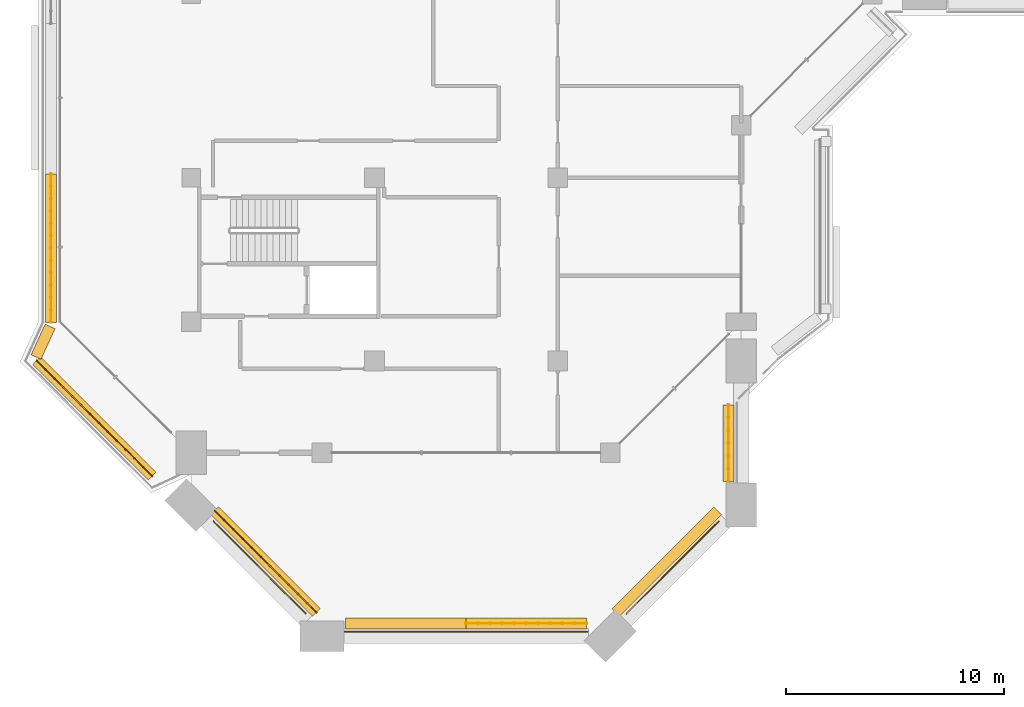
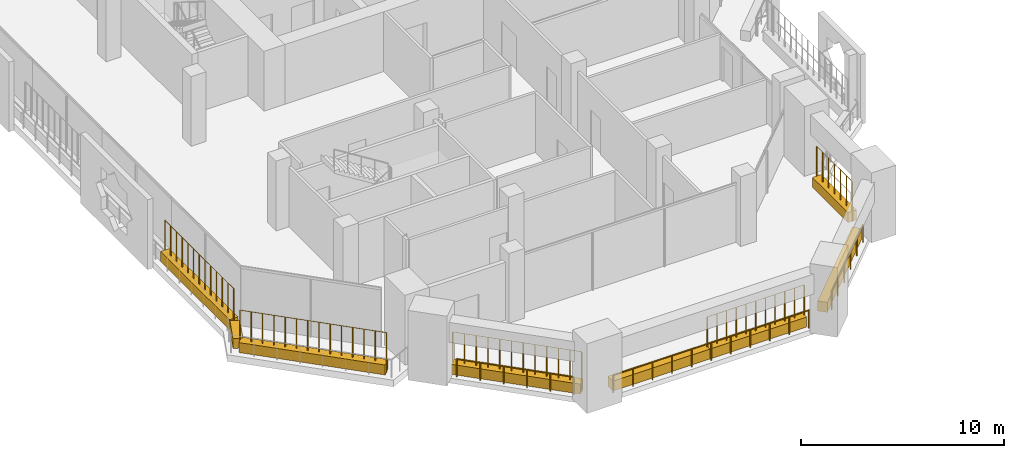
# One storey, part 17 of 24: 8 coverings, 8 railings.
"""IFC4 building model written with IfcOpenShell, lengths in metres."""

from ifc_helpers import new_model, si_unit, direction, frame, origin, origin_2d, place, context, subcontext, project, spatial, rectangle, circle, extrude, material, material_profile, profile_set, type_object, element, save


model = new_model("IFC4")

# Units and contexts
model_context = context("Model", 3, precision=1e-05, world=origin(), true_north=direction((0.0, 1.0)))
body_context = subcontext(model_context, "Body", "Model", "MODEL_VIEW")
ifc_project = project(units=[si_unit("LENGTHUNIT", "METRE"), si_unit("AREAUNIT", "SQUARE_METRE"), si_unit("VOLUMEUNIT", "CUBIC_METRE"), si_unit("PLANEANGLEUNIT", "RADIAN"), si_unit("MASSUNIT", "GRAM", prefix="KILO")], contexts=[model_context])

# Site, building, storey
site_placement = place(None, origin())
site = spatial("IfcSite", under=ifc_project, at=site_placement, CompositionType="ELEMENT")
building_placement = place(site_placement, origin())
building = spatial("IfcBuilding", under=site, at=building_placement, Name="Kawkab Arch Medical Tower", CompositionType="ELEMENT")
storey_placement = place(building_placement, frame((0.0, 0.0, 218.0)))
storey = spatial("IfcBuildingStorey", under=building, at=storey_placement, Name="L50", CompositionType="ELEMENT", Elevation=218.0)

# Railings
ifc_material_1 = material(Name="Bronze anodised aluminium guard", Category="aluminium")
railing_type_1 = type_object("IfcRailingType", Name="Loggia and terrace guard 1100", PredefinedType="GUARDRAIL", material=ifc_material_1)
railing_1_placement = place(storey_placement, frame((1.030029296875, -49.346923828125, 0.0)))
element("IfcRailing", 1, at=railing_1_placement, inside=storey, type_object=railing_type_1, Name="Guard L50.TER-01.1.2", PredefinedType="GUARDRAIL", context=body_context, shape_type="SweptSolid", body=[
    extrude(circle(Radius=0.02392578125, at=origin_2d()), frame((0.0, 0.0, 1.076171875), z_axis=(0.707086341325, -0.707127220457, 0.0), x_axis=(0.707127220457, 0.707086341325, 0.0)), (0.0, 0.0, 1.0), 5.97216796875),
    extrude(circle(Radius=0.02099609375, at=origin_2d()), origin(), (0.0, 0.0, 1.0), 1.052001953125),
    extrude(circle(Radius=0.02099609375, at=origin_2d()), frame((0.844482421875, -0.8447265625, 0.0)), (0.0, 0.0, 1.0), 1.052001953125),
    extrude(circle(Radius=0.02099609375, at=origin_2d()), frame((1.689208984375, -1.689208984375, 0.0)), (0.0, 0.0, 1.0), 1.052001953125),
    extrude(circle(Radius=0.02099609375, at=origin_2d()), frame((2.53369140625, -2.533935546875, 0.0)), (0.0, 0.0, 1.0), 1.052001953125),
    extrude(circle(Radius=0.02099609375, at=origin_2d()), frame((3.37841796875, -3.37841796875, 0.0)), (0.0, 0.0, 1.0), 1.052001953125),
    extrude(circle(Radius=0.02099609375, at=origin_2d()), frame((4.222900390625, -4.22314453125, 0.0)), (0.0, 0.0, 1.0), 1.052001953125),
])
railing_2_placement = place(storey_placement, frame((7.030029296875, -54.39990234375, 0.0)))
element("IfcRailing", 2, at=railing_2_placement, inside=storey, type_object=railing_type_1, Name="Guard L50.TER-01.1.3", PredefinedType="GUARDRAIL", context=body_context, shape_type="SweptSolid", body=[
    extrude(circle(Radius=0.02392578125, at=origin_2d()), frame((0.0, 0.0, 1.076171875), z_axis=(1.0, 0.0, 0.0), x_axis=(0.0, 1.0, 0.0)), (0.0, 0.0, 1.0), 11.139892578125),
    extrude(circle(Radius=0.02099609375, at=origin_2d()), origin(), (0.0, 0.0, 1.0), 1.052001953125),
    extrude(circle(Radius=0.02099609375, at=origin_2d()), frame((1.114013671875, 0.0, 0.0)), (0.0, 0.0, 1.0), 1.052001953125),
    extrude(circle(Radius=0.02099609375, at=origin_2d()), frame((2.22802734375, 0.0, 0.0)), (0.0, 0.0, 1.0), 1.052001953125),
    extrude(circle(Radius=0.02099609375, at=origin_2d()), frame((3.342041015625, 0.0, 0.0)), (0.0, 0.0, 1.0), 1.052001953125),
    extrude(circle(Radius=0.02099609375, at=origin_2d()), frame((4.4560546875, 0.0, 0.0)), (0.0, 0.0, 1.0), 1.052001953125),
    extrude(circle(Radius=0.02099609375, at=origin_2d()), frame((5.56982421875, 0.0, 0.0)), (0.0, 0.0, 1.0), 1.052001953125),
    extrude(circle(Radius=0.02099609375, at=origin_2d()), frame((6.683837890625, 0.0, 0.0)), (0.0, 0.0, 1.0), 1.052001953125),
    extrude(circle(Radius=0.02099609375, at=origin_2d()), frame((7.7978515625, 0.0, 0.0)), (0.0, 0.0, 1.0), 1.052001953125),
    extrude(circle(Radius=0.02099609375, at=origin_2d()), frame((8.911865234375, 0.0, 0.0)), (0.0, 0.0, 1.0), 1.052001953125),
    extrude(circle(Radius=0.02099609375, at=origin_2d()), frame((10.02587890625, 0.0, 0.0)), (0.0, 0.0, 1.0), 1.052001953125),
    extrude(circle(Radius=0.02099609375, at=origin_2d()), frame((11.139892578125, 0.0, 0.0)), (0.0, 0.0, 1.0), 1.052001953125),
])
railing_3_placement = place(storey_placement, frame((19.947021484375, -53.570068359375, 0.0)))
element("IfcRailing", 3, at=railing_3_placement, inside=storey, type_object=railing_type_1, Name="Guard L50.TER-01.1.4", PredefinedType="GUARDRAIL", context=body_context, shape_type="SweptSolid", body=[
    extrude(circle(Radius=0.02392578125, at=origin_2d()), frame((0.0, 0.0, 1.076171875), z_axis=(0.707086341325, 0.707127220457, 0.0), x_axis=(-0.707127220457, 0.707086341325, 0.0)), (0.0, 0.0, 1.0), 5.97216796875),
    extrude(circle(Radius=0.02099609375, at=origin_2d()), origin(), (0.0, 0.0, 1.0), 1.052001953125),
    extrude(circle(Radius=0.02099609375, at=origin_2d()), frame((0.844482421875, 0.8447265625, 0.0)), (0.0, 0.0, 1.0), 1.052001953125),
    extrude(circle(Radius=0.02099609375, at=origin_2d()), frame((1.689208984375, 1.689208984375, 0.0)), (0.0, 0.0, 1.0), 1.052001953125),
    extrude(circle(Radius=0.02099609375, at=origin_2d()), frame((2.53369140625, 2.533935546875, 0.0)), (0.0, 0.0, 1.0), 1.052001953125),
    extrude(circle(Radius=0.02099609375, at=origin_2d()), frame((3.37841796875, 3.37841796875, 0.0)), (0.0, 0.0, 1.0), 1.052001953125),
    extrude(circle(Radius=0.02099609375, at=origin_2d()), frame((4.222900390625, 4.22314453125, 0.0)), (0.0, 0.0, 1.0), 1.052001953125),
])

# Coverings
ifc_material_2 = material(Name="Planting soil in a precast trough", Category="concrete")
ifc_material_profile = material_profile(ifc_material_2, rectangle(XDim=0.5, YDim=0.60009765625, at=origin_2d()), Name="Trough 500x600")
ifc_profile_set = profile_set([ifc_material_profile], Name="Planting soil in a precast trough")
covering_type = type_object("IfcCoveringType", Name="Planter trough 500 x 600", PredefinedType="USERDEFINED", material=ifc_profile_set)
covering_1_placement = place(storey_placement, frame((1.080078125, -48.85595703125, 0.300048828125), z_axis=(0.706866070309, -0.70734741015, 0.0), x_axis=(0.70734741015, 0.706866070309, 0.0)))
element("IfcCovering", 4, at=covering_1_placement, inside=storey, type_object=covering_type, Name="Planter L50.TER-01-01.1", ObjectType="PLANTER", PredefinedType="USERDEFINED", context=body_context, shape_type="SweptSolid", body=[
    extrude(rectangle(XDim=0.5, YDim=0.60009765625, at=origin_2d()), origin(), (0.0, 0.0, 1.0), 6.59375),
])
covering_2_placement = place(storey_placement, frame((7.080078125, -54.02001953125, 0.300048828125), z_axis=(1.0, 0.0, 0.0), x_axis=(0.0, 1.0, 0.0)))
element("IfcCovering", 5, at=covering_2_placement, inside=storey, type_object=covering_type, Name="Planter L50.TER-01-01.2", ObjectType="PLANTER", PredefinedType="USERDEFINED", context=body_context, shape_type="SweptSolid", body=[
    extrude(rectangle(XDim=0.5, YDim=0.60009765625, at=origin_2d()), origin(), (0.0, 0.0, 1.0), 5.517822265625),
])
covering_3_placement = place(storey_placement, frame((12.597900390625, -54.02001953125, 0.300048828125), z_axis=(1.0, 0.0, 0.0), x_axis=(0.0, 1.0, 0.0)))
element("IfcCovering", 6, at=covering_3_placement, inside=storey, type_object=covering_type, Name="Planter L50.TER-01-01.3", ObjectType="PLANTER", PredefinedType="USERDEFINED", context=body_context, shape_type="SweptSolid", body=[
    extrude(rectangle(XDim=0.5, YDim=0.60009765625, at=origin_2d()), origin(), (0.0, 0.0, 1.0), 5.522216796875),
])
covering_4_placement = place(storey_placement, frame((19.4560546875, -53.52001953125, 0.300048828125), z_axis=(0.707328897326, 0.706884595254, 0.0), x_axis=(-0.706884595254, 0.707328897326, 0.0)))
element("IfcCovering", 7, at=covering_4_placement, inside=storey, type_object=covering_type, Name="Planter L50.TER-01-01.4", ObjectType="PLANTER", PredefinedType="USERDEFINED", context=body_context, shape_type="SweptSolid", body=[
    extrude(rectangle(XDim=0.5, YDim=0.60009765625, at=origin_2d()), origin(), (0.0, 0.0, 1.0), 6.593994140625),
])
covering_5_placement = place(storey_placement, frame((24.6201171875, -47.52001953125, 0.300048828125), z_axis=(0.0, 1.0, 0.0), x_axis=(-1.0, 0.0, 0.0)))
element("IfcCovering", 8, at=covering_5_placement, inside=storey, type_object=covering_type, Name="Planter L50.TER-01-01.5", ObjectType="PLANTER", PredefinedType="USERDEFINED", context=body_context, shape_type="SweptSolid", body=[
    extrude(rectangle(XDim=0.5, YDim=0.60009765625, at=origin_2d()), origin(), (0.0, 0.0, 1.0), 3.513916015625),
])
covering_6_placement = place(storey_placement, frame((-1.782958984375, -47.27294921875, 0.300048828125), z_axis=(-0.707106781187, 0.707106781187, 0.0), x_axis=(-0.707106781187, -0.707106781187, 0.0)))
element("IfcCovering", 9, at=covering_6_placement, inside=storey, type_object=covering_type, Name="Planter L50.LOG-01-01.1", ObjectType="PLANTER", PredefinedType="USERDEFINED", context=body_context, shape_type="SweptSolid", body=[
    extrude(rectangle(XDim=0.5, YDim=0.60009765625, at=origin_2d()), origin(), (0.0, 0.0, 1.0), 7.481201171875),
])
covering_7_placement = place(storey_placement, frame((-7.10205078125, -41.821044921875, 0.300048828125), z_axis=(0.415363486165, 0.909655525109, 0.0), x_axis=(-0.909655525109, 0.415363486165, 0.0)))
element("IfcCovering", 10, at=covering_7_placement, inside=storey, type_object=covering_type, Name="Planter L50.LOG-01-01.2", ObjectType="PLANTER", PredefinedType="USERDEFINED", context=body_context, shape_type="SweptSolid", body=[
    extrude(rectangle(XDim=0.5, YDim=0.60009765625, at=origin_2d()), origin(), (0.0, 0.0, 1.0), 1.54345703125),
])
covering_8_placement = place(storey_placement, frame((-6.419921875, -40.22607421875, 0.300048828125), z_axis=(0.0, 1.0, 0.0), x_axis=(-1.0, 0.0, 0.0)))
element("IfcCovering", 11, at=covering_8_placement, inside=storey, type_object=covering_type, Name="Planter L50.LOG-01-01.3", ObjectType="PLANTER", PredefinedType="USERDEFINED", context=body_context, shape_type="SweptSolid", body=[
    extrude(rectangle(XDim=0.5, YDim=0.60009765625, at=origin_2d()), origin(), (0.0, 0.0, 1.0), 6.7900390625),
])

# Railings
ifc_material_3 = material(Name="Bronze anodised aluminium trellis for climbing plants", Category="aluminium")
railing_type_2 = type_object("IfcRailingType", Name="Planting trellis 2400", PredefinedType="USERDEFINED", material=ifc_material_3)
railing_4_placement = place(storey_placement, frame((1.080078125, -48.85595703125, 0.0)))
element("IfcRailing", 12, at=railing_4_placement, inside=storey, type_object=railing_type_2, Name="Planting trellis L50.TER-01-01.1", ObjectType="TRELLIS", PredefinedType="USERDEFINED", context=body_context, shape_type="SweptSolid", body=[
    extrude(circle(Radius=0.01513671875, at=origin_2d()), frame((0.0, 0.0, 2.384765625), z_axis=(0.706866070309, -0.70734741015, 0.0), x_axis=(0.70734741015, 0.706866070309, 0.0)), (0.0, 0.0, 1.0), 6.59375),
    extrude(circle(Radius=0.030029296875, at=origin_2d()), origin(), (0.0, 0.0, 1.0), 2.369873046875),
    extrude(circle(Radius=0.030029296875, at=origin_2d()), frame((0.423828125, -0.424072265625, 0.0)), (0.0, 0.0, 1.0), 2.369873046875),
    extrude(circle(Radius=0.030029296875, at=origin_2d()), frame((0.847412109375, -0.847900390625, 0.0)), (0.0, 0.0, 1.0), 2.369873046875),
    extrude(circle(Radius=0.030029296875, at=origin_2d()), frame((1.271240234375, -1.27197265625, 0.0)), (0.0, 0.0, 1.0), 2.369873046875),
    extrude(circle(Radius=0.030029296875, at=origin_2d()), frame((1.69482421875, -1.696044921875, 0.0)), (0.0, 0.0, 1.0), 2.369873046875),
    extrude(circle(Radius=0.030029296875, at=origin_2d()), frame((2.11865234375, -2.1201171875, 0.0)), (0.0, 0.0, 1.0), 2.369873046875),
    extrude(circle(Radius=0.030029296875, at=origin_2d()), frame((2.542236328125, -2.5439453125, 0.0)), (0.0, 0.0, 1.0), 2.369873046875),
    extrude(circle(Radius=0.030029296875, at=origin_2d()), frame((2.966064453125, -2.968017578125, 0.0)), (0.0, 0.0, 1.0), 2.369873046875),
    extrude(circle(Radius=0.030029296875, at=origin_2d()), frame((3.3896484375, -3.39208984375, 0.0)), (0.0, 0.0, 1.0), 2.369873046875),
    extrude(circle(Radius=0.030029296875, at=origin_2d()), frame((3.8134765625, -3.816162109375, 0.0)), (0.0, 0.0, 1.0), 2.369873046875),
    extrude(circle(Radius=0.030029296875, at=origin_2d()), frame((4.237060546875, -4.239990234375, 0.0)), (0.0, 0.0, 1.0), 2.369873046875),
    extrude(circle(Radius=0.030029296875, at=origin_2d()), frame((4.660888671875, -4.6640625, 0.0)), (0.0, 0.0, 1.0), 2.369873046875),
])
railing_5_placement = place(storey_placement, frame((12.597900390625, -54.02001953125, 0.0)))
element("IfcRailing", 13, at=railing_5_placement, inside=storey, type_object=railing_type_2, Name="Planting trellis L50.TER-01-01.3", ObjectType="TRELLIS", PredefinedType="USERDEFINED", context=body_context, shape_type="SweptSolid", body=[
    extrude(circle(Radius=0.01513671875, at=origin_2d()), frame((0.0, 0.0, 2.384765625), z_axis=(1.0, 0.0, 0.0), x_axis=(0.0, 1.0, 0.0)), (0.0, 0.0, 1.0), 5.522216796875),
    extrude(circle(Radius=0.030029296875, at=origin_2d()), origin(), (0.0, 0.0, 1.0), 2.369873046875),
    extrude(circle(Radius=0.030029296875, at=origin_2d()), frame((0.55224609375, 0.0, 0.0)), (0.0, 0.0, 1.0), 2.369873046875),
    extrude(circle(Radius=0.030029296875, at=origin_2d()), frame((1.1044921875, 0.0, 0.0)), (0.0, 0.0, 1.0), 2.369873046875),
    extrude(circle(Radius=0.030029296875, at=origin_2d()), frame((1.65673828125, 0.0, 0.0)), (0.0, 0.0, 1.0), 2.369873046875),
    extrude(circle(Radius=0.030029296875, at=origin_2d()), frame((2.208984375, 0.0, 0.0)), (0.0, 0.0, 1.0), 2.369873046875),
    extrude(circle(Radius=0.030029296875, at=origin_2d()), frame((2.76123046875, 0.0, 0.0)), (0.0, 0.0, 1.0), 2.369873046875),
    extrude(circle(Radius=0.030029296875, at=origin_2d()), frame((3.313232421875, 0.0, 0.0)), (0.0, 0.0, 1.0), 2.369873046875),
    extrude(circle(Radius=0.030029296875, at=origin_2d()), frame((3.865478515625, 0.0, 0.0)), (0.0, 0.0, 1.0), 2.369873046875),
    extrude(circle(Radius=0.030029296875, at=origin_2d()), frame((4.417724609375, 0.0, 0.0)), (0.0, 0.0, 1.0), 2.369873046875),
    extrude(circle(Radius=0.030029296875, at=origin_2d()), frame((4.969970703125, 0.0, 0.0)), (0.0, 0.0, 1.0), 2.369873046875),
    extrude(circle(Radius=0.030029296875, at=origin_2d()), frame((5.522216796875, 0.0, 0.0)), (0.0, 0.0, 1.0), 2.369873046875),
])
railing_6_placement = place(storey_placement, frame((24.6201171875, -47.52001953125, 0.0)))
element("IfcRailing", 14, at=railing_6_placement, inside=storey, type_object=railing_type_2, Name="Planting trellis L50.TER-01-01.5", ObjectType="TRELLIS", PredefinedType="USERDEFINED", context=body_context, shape_type="SweptSolid", body=[
    extrude(circle(Radius=0.01513671875, at=origin_2d()), frame((0.0, 0.0, 2.384765625), z_axis=(0.0, 1.0, 0.0), x_axis=(-1.0, 0.0, 0.0)), (0.0, 0.0, 1.0), 3.513916015625),
    extrude(circle(Radius=0.030029296875, at=origin_2d()), origin(), (0.0, 0.0, 1.0), 2.369873046875),
    extrude(circle(Radius=0.030029296875, at=origin_2d()), frame((0.0, 0.585693359375, 0.0)), (0.0, 0.0, 1.0), 2.369873046875),
    extrude(circle(Radius=0.030029296875, at=origin_2d()), frame((0.0, 1.17138671875, 0.0)), (0.0, 0.0, 1.0), 2.369873046875),
    extrude(circle(Radius=0.030029296875, at=origin_2d()), frame((0.0, 1.7568359375, 0.0)), (0.0, 0.0, 1.0), 2.369873046875),
    extrude(circle(Radius=0.030029296875, at=origin_2d()), frame((0.0, 2.342529296875, 0.0)), (0.0, 0.0, 1.0), 2.369873046875),
    extrude(circle(Radius=0.030029296875, at=origin_2d()), frame((0.0, 2.92822265625, 0.0)), (0.0, 0.0, 1.0), 2.369873046875),
    extrude(circle(Radius=0.030029296875, at=origin_2d()), frame((0.0, 3.513916015625, 0.0)), (0.0, 0.0, 1.0), 2.369873046875),
])
railing_7_placement = place(storey_placement, frame((-1.782958984375, -47.27294921875, 0.0)))
element("IfcRailing", 15, at=railing_7_placement, inside=storey, type_object=railing_type_2, Name="Planting trellis L50.LOG-01-01.1", ObjectType="TRELLIS", PredefinedType="USERDEFINED", context=body_context, shape_type="SweptSolid", body=[
    extrude(circle(Radius=0.01513671875, at=origin_2d()), frame((0.0, 0.0, 2.384765625), z_axis=(-0.707106781187, 0.707106781187, 0.0), x_axis=(-0.707106781187, -0.707106781187, 0.0)), (0.0, 0.0, 1.0), 7.481201171875),
    extrude(circle(Radius=0.030029296875, at=origin_2d()), origin(), (0.0, 0.0, 1.0), 2.369873046875),
    extrude(circle(Radius=0.030029296875, at=origin_2d()), frame((-0.406982421875, 0.406982421875, 0.0)), (0.0, 0.0, 1.0), 2.369873046875),
    extrude(circle(Radius=0.030029296875, at=origin_2d()), frame((-0.81396484375, 0.81396484375, 0.0)), (0.0, 0.0, 1.0), 2.369873046875),
    extrude(circle(Radius=0.030029296875, at=origin_2d()), frame((-1.220703125, 1.220703125, 0.0)), (0.0, 0.0, 1.0), 2.369873046875),
    extrude(circle(Radius=0.030029296875, at=origin_2d()), frame((-1.627685546875, 1.627685546875, 0.0)), (0.0, 0.0, 1.0), 2.369873046875),
    extrude(circle(Radius=0.030029296875, at=origin_2d()), frame((-2.03466796875, 2.03466796875, 0.0)), (0.0, 0.0, 1.0), 2.369873046875),
    extrude(circle(Radius=0.030029296875, at=origin_2d()), frame((-2.441650390625, 2.441650390625, 0.0)), (0.0, 0.0, 1.0), 2.369873046875),
    extrude(circle(Radius=0.030029296875, at=origin_2d()), frame((-2.848388671875, 2.848388671875, 0.0)), (0.0, 0.0, 1.0), 2.369873046875),
    extrude(circle(Radius=0.030029296875, at=origin_2d()), frame((-3.25537109375, 3.25537109375, 0.0)), (0.0, 0.0, 1.0), 2.369873046875),
    extrude(circle(Radius=0.030029296875, at=origin_2d()), frame((-3.662353515625, 3.662353515625, 0.0)), (0.0, 0.0, 1.0), 2.369873046875),
    extrude(circle(Radius=0.030029296875, at=origin_2d()), frame((-4.0693359375, 4.0693359375, 0.0)), (0.0, 0.0, 1.0), 2.369873046875),
    extrude(circle(Radius=0.030029296875, at=origin_2d()), frame((-4.47607421875, 4.47607421875, 0.0)), (0.0, 0.0, 1.0), 2.369873046875),
    extrude(circle(Radius=0.030029296875, at=origin_2d()), frame((-4.883056640625, 4.883056640625, 0.0)), (0.0, 0.0, 1.0), 2.369873046875),
    extrude(circle(Radius=0.030029296875, at=origin_2d()), frame((-5.2900390625, 5.2900390625, 0.0)), (0.0, 0.0, 1.0), 2.369873046875),
])
railing_8_placement = place(storey_placement, frame((-6.419921875, -40.22607421875, 0.0)))
element("IfcRailing", 16, at=railing_8_placement, inside=storey, type_object=railing_type_2, Name="Planting trellis L50.LOG-01-01.3", ObjectType="TRELLIS", PredefinedType="USERDEFINED", context=body_context, shape_type="SweptSolid", body=[
    extrude(circle(Radius=0.01513671875, at=origin_2d()), frame((0.0, 0.0, 2.384765625), z_axis=(0.0, 1.0, 0.0), x_axis=(-1.0, 0.0, 0.0)), (0.0, 0.0, 1.0), 6.7900390625),
    extrude(circle(Radius=0.030029296875, at=origin_2d()), origin(), (0.0, 0.0, 1.0), 2.369873046875),
    extrude(circle(Radius=0.030029296875, at=origin_2d()), frame((0.0, 0.56591796875, 0.0)), (0.0, 0.0, 1.0), 2.369873046875),
    extrude(circle(Radius=0.030029296875, at=origin_2d()), frame((0.0, 1.131591796875, 0.0)), (0.0, 0.0, 1.0), 2.369873046875),
    extrude(circle(Radius=0.030029296875, at=origin_2d()), frame((0.0, 1.697509765625, 0.0)), (0.0, 0.0, 1.0), 2.369873046875),
    extrude(circle(Radius=0.030029296875, at=origin_2d()), frame((0.0, 2.263427734375, 0.0)), (0.0, 0.0, 1.0), 2.369873046875),
    extrude(circle(Radius=0.030029296875, at=origin_2d()), frame((0.0, 2.8291015625, 0.0)), (0.0, 0.0, 1.0), 2.369873046875),
    extrude(circle(Radius=0.030029296875, at=origin_2d()), frame((0.0, 3.39501953125, 0.0)), (0.0, 0.0, 1.0), 2.369873046875),
    extrude(circle(Radius=0.030029296875, at=origin_2d()), frame((0.0, 3.9609375, 0.0)), (0.0, 0.0, 1.0), 2.369873046875),
    extrude(circle(Radius=0.030029296875, at=origin_2d()), frame((0.0, 4.526611328125, 0.0)), (0.0, 0.0, 1.0), 2.369873046875),
    extrude(circle(Radius=0.030029296875, at=origin_2d()), frame((0.0, 5.092529296875, 0.0)), (0.0, 0.0, 1.0), 2.369873046875),
    extrude(circle(Radius=0.030029296875, at=origin_2d()), frame((0.0, 5.658447265625, 0.0)), (0.0, 0.0, 1.0), 2.369873046875),
    extrude(circle(Radius=0.030029296875, at=origin_2d()), frame((0.0, 6.22412109375, 0.0)), (0.0, 0.0, 1.0), 2.369873046875),
    extrude(circle(Radius=0.030029296875, at=origin_2d()), frame((0.0, 6.7900390625, 0.0)), (0.0, 0.0, 1.0), 2.369873046875),
])

save(model, "model.ifc")
